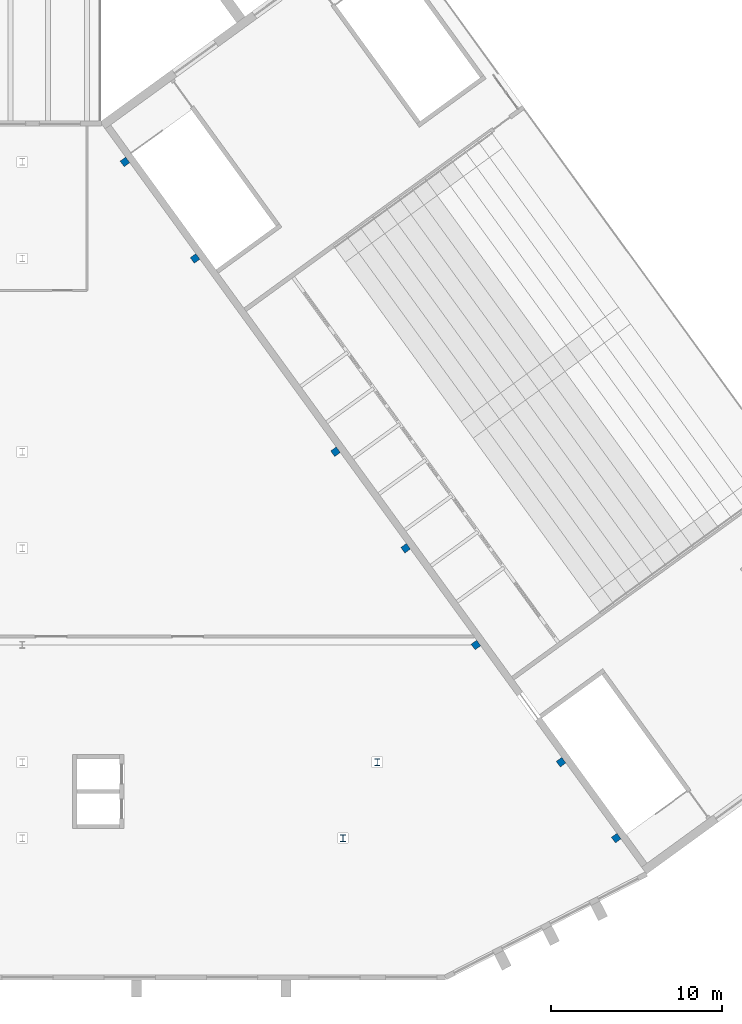
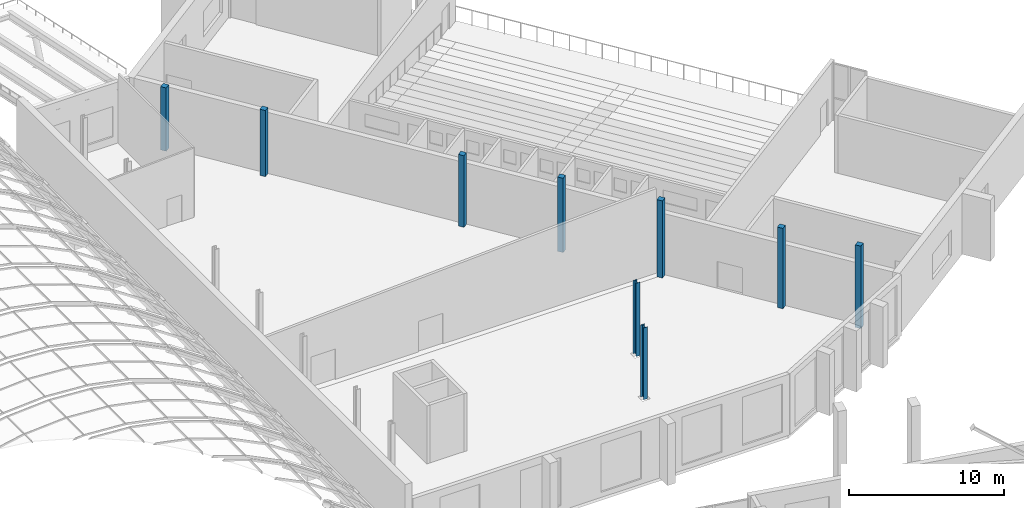
# One storey, part 26 of 182: 9 columns.
"""IFC4 building model written with IfcOpenShell, lengths in metres."""

from ifc_helpers import new_model, si_unit, direction, frame, origin, origin_2d, place, context, subcontext, project, spatial, rectangle, i_section, extrude, material, material_profile, profile_set, type_object, element, save


model = new_model("IFC4")

# Units and contexts
model_context = context("Model", 3, precision=1e-05, world=origin(), true_north=direction((0.0, 1.0)))
body_context = subcontext(model_context, "Body", "Model", "MODEL_VIEW")
ifc_project = project(units=[si_unit("LENGTHUNIT", "METRE"), si_unit("AREAUNIT", "SQUARE_METRE"), si_unit("VOLUMEUNIT", "CUBIC_METRE"), si_unit("PLANEANGLEUNIT", "RADIAN"), si_unit("MASSUNIT", "GRAM", prefix="KILO")], contexts=[model_context])

# Site, building, storey
site_placement = place(None, origin())
site = spatial("IfcSite", under=ifc_project, at=site_placement, CompositionType="ELEMENT")
building_placement = place(site_placement, origin())
building = spatial("IfcBuilding", under=site, at=building_placement, Name="Okhra Congress Centre", CompositionType="ELEMENT")
storey_placement = place(building_placement, frame((0.0, 0.0, 7.199951171875)))
storey = spatial("IfcBuildingStorey", under=building, at=storey_placement, Name="L01", CompositionType="ELEMENT", Elevation=7.199951171875)

# Columns
ifc_material_1 = material(Name="Steel S355J2", Category="steel")
ifc_material_profile_1 = material_profile(ifc_material_1, i_section(OverallWidth=0.300048828125, OverallDepth=0.39990234375, WebThickness=0.013427734375, FlangeThickness=0.02392578125, FilletRadius=0.027099609375, at=origin_2d()), Name="HE 400 B")
ifc_profile_set_1 = profile_set([ifc_material_profile_1], Name="Steel S355J2")
column_type_1 = type_object("IfcColumnType", Name="HE 400 B", PredefinedType="COLUMN", material=ifc_profile_set_1)
column_1_placement = place(storey_placement, frame((212.0, 157.89990234375, 0.0), z_axis=(0.0, 0.0, 1.0), x_axis=(1.0, 0.0, 0.0)))
element("IfcColumn", 1, at=column_1_placement, inside=storey, type_object=column_type_1, Name="Foyer mid-span column 1", PredefinedType="COLUMN", context=body_context, shape_type="SweptSolid", body=[
    extrude(i_section(OverallWidth=0.300048828125, OverallDepth=0.39990234375, WebThickness=0.013427734375, FlangeThickness=0.02392578125, FilletRadius=0.027099609375, at=origin_2d()), origin(), (0.0, 0.0, 1.0), 5.653076171875),
])
column_2_placement = place(storey_placement, frame((214.0, 162.35009765625, 0.0), z_axis=(0.0, 0.0, 1.0), x_axis=(1.0, 0.0, 0.0)))
element("IfcColumn", 2, at=column_2_placement, inside=storey, type_object=column_type_1, Name="Foyer mid-span column 2", PredefinedType="COLUMN", context=body_context, shape_type="SweptSolid", body=[
    extrude(i_section(OverallWidth=0.300048828125, OverallDepth=0.39990234375, WebThickness=0.013427734375, FlangeThickness=0.02392578125, FilletRadius=0.027099609375, at=origin_2d()), origin(), (0.0, 0.0, 1.0), 5.7578125),
])
ifc_material_2 = material(Name="Concrete C35/45", Category="concrete")
ifc_material_profile_2 = material_profile(ifc_material_2, rectangle(XDim=0.39990234375, YDim=0.39990234375, at=origin_2d()), Name="RC pilaster 400x400")
ifc_profile_set_2 = profile_set([ifc_material_profile_2], Name="Concrete C35/45")
column_type_2 = type_object("IfcColumnType", Name="RC pilaster 400x400", PredefinedType="COLUMN", material=ifc_profile_set_2)
column_3_placement = place(storey_placement, frame((228.0146484375, 157.89990234375, 0.0), z_axis=(0.0, 0.0, 1.0), x_axis=(0.809016994375, 0.587785252292, 0.0)))
element("IfcColumn", 3, at=column_3_placement, inside=storey, type_object=column_type_2, Name="Foyer pilaster 1", PredefinedType="COLUMN", context=body_context, shape_type="SweptSolid", body=[
    extrude(rectangle(XDim=0.39990234375, YDim=0.39990234375, at=origin_2d()), origin(), (0.0, 0.0, 1.0), 6.492431640625),
])
column_4_placement = place(storey_placement, frame((224.78173828125, 162.35009765625, 0.0), z_axis=(0.0, 0.0, 1.0), x_axis=(0.809016994375, 0.587785252292, 0.0)))
element("IfcColumn", 4, at=column_4_placement, inside=storey, type_object=column_type_2, Name="Foyer pilaster 2", PredefinedType="COLUMN", context=body_context, shape_type="SweptSolid", body=[
    extrude(rectangle(XDim=0.39990234375, YDim=0.39990234375, at=origin_2d()), origin(), (0.0, 0.0, 1.0), 6.322998046875),
])
column_5_placement = place(storey_placement, frame((219.790283203125, 169.219970703125, 0.0), z_axis=(0.0, 0.0, 1.0), x_axis=(0.809016994375, 0.587785252292, 0.0)))
element("IfcColumn", 5, at=column_5_placement, inside=storey, type_object=column_type_2, Name="Foyer pilaster 3", PredefinedType="COLUMN", context=body_context, shape_type="SweptSolid", body=[
    extrude(rectangle(XDim=0.39990234375, YDim=0.39990234375, at=origin_2d()), origin(), (0.0, 0.0, 1.0), 6.061279296875),
])
column_6_placement = place(storey_placement, frame((215.6708984375, 174.889892578125, 0.0), z_axis=(0.0, 0.0, 1.0), x_axis=(0.809016994375, 0.587785252292, 0.0)))
element("IfcColumn", 6, at=column_6_placement, inside=storey, type_object=column_type_2, Name="Foyer pilaster 4", PredefinedType="COLUMN", context=body_context, shape_type="SweptSolid", body=[
    extrude(rectangle(XDim=0.39990234375, YDim=0.39990234375, at=origin_2d()), origin(), (0.0, 0.0, 1.0), 5.845458984375),
])
column_7_placement = place(storey_placement, frame((211.55859375, 180.550048828125, 0.0), z_axis=(0.0, 0.0, 1.0), x_axis=(0.809016994375, 0.587785252292, 0.0)))
element("IfcColumn", 7, at=column_7_placement, inside=storey, type_object=column_type_2, Name="Foyer pilaster 5", PredefinedType="COLUMN", context=body_context, shape_type="SweptSolid", body=[
    extrude(rectangle(XDim=0.39990234375, YDim=0.39990234375, at=origin_2d()), origin(), (0.0, 0.0, 1.0), 5.6298828125),
])
column_8_placement = place(storey_placement, frame((203.326904296875, 191.8798828125, 0.0), z_axis=(0.0, 0.0, 1.0), x_axis=(0.809016994375, 0.587785252292, 0.0)))
element("IfcColumn", 8, at=column_8_placement, inside=storey, type_object=column_type_2, Name="Foyer pilaster 6", PredefinedType="COLUMN", context=body_context, shape_type="SweptSolid", body=[
    extrude(rectangle(XDim=0.39990234375, YDim=0.39990234375, at=origin_2d()), origin(), (0.0, 0.0, 1.0), 5.198486328125),
])
column_9_placement = place(storey_placement, frame((199.214599609375, 197.5400390625, 0.0), z_axis=(0.0, 0.0, 1.0), x_axis=(0.809016994375, 0.587785252292, 0.0)))
element("IfcColumn", 9, at=column_9_placement, inside=storey, type_object=column_type_2, Name="Foyer pilaster 7", PredefinedType="COLUMN", context=body_context, shape_type="SweptSolid", body=[
    extrude(rectangle(XDim=0.39990234375, YDim=0.39990234375, at=origin_2d()), origin(), (0.0, 0.0, 1.0), 4.98291015625),
])

save(model, "model.ifc")
